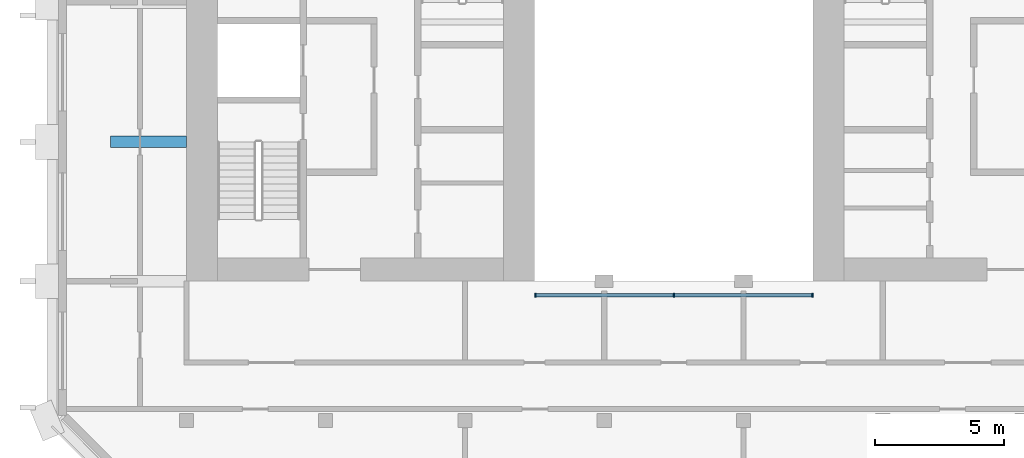
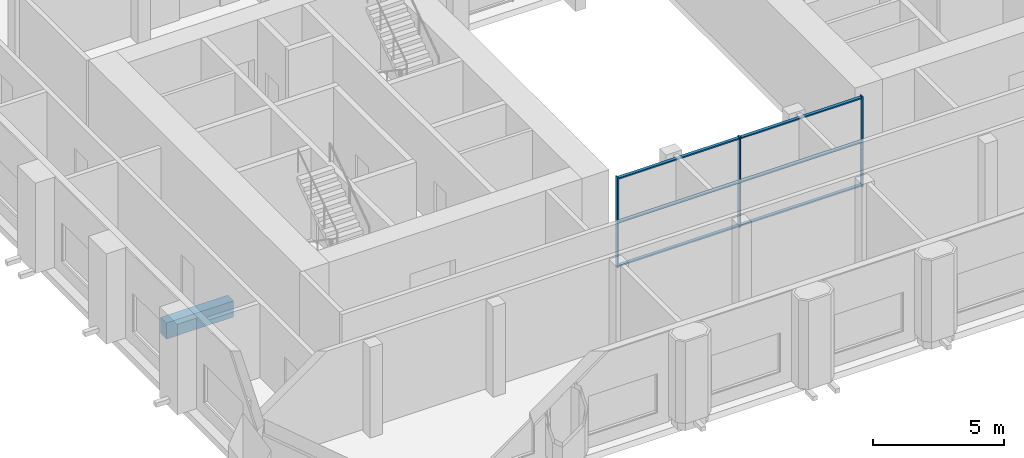
# One storey, part 2 of 11: 9 members, 1 beam, 1 element without a shape of its own.
"""IFC4 building model written with IfcOpenShell, lengths in metres."""

from ifc_helpers import new_model, si_unit, direction, frame, origin, origin_2d, place, context, subcontext, project, spatial, rectangle, extrude, material, material_profile, profile_set, type_object, element, aggregate, save


model = new_model("IFC4")

# Units and contexts
model_context = context("Model", 3, precision=1e-05, world=origin(), true_north=direction((0.0, 1.0)))
body_context = subcontext(model_context, "Body", "Model", "MODEL_VIEW")
ifc_project = project(units=[si_unit("LENGTHUNIT", "METRE"), si_unit("AREAUNIT", "SQUARE_METRE"), si_unit("VOLUMEUNIT", "CUBIC_METRE"), si_unit("PLANEANGLEUNIT", "RADIAN"), si_unit("MASSUNIT", "GRAM", prefix="KILO")], contexts=[model_context])

# Site, building, storey
site_placement = place(None, origin())
site = spatial("IfcSite", under=ifc_project, at=site_placement, CompositionType="ELEMENT")
building_placement = place(site_placement, origin())
building = spatial("IfcBuilding", under=site, at=building_placement, Name="Tabaq Tower and Sports Hall", CompositionType="ELEMENT")
storey_placement = place(building_placement, frame((0.0, 0.0, 312.699951171875)))
storey = spatial("IfcBuildingStorey", under=building, at=storey_placement, Name="L78", CompositionType="ELEMENT", Elevation=312.699951171875)

# Curtain wall, members
ifc_material_1 = material(Name="Aluminium alloy 6063-T6 framed glazing", Category="aluminium")
curtain_wall_type = type_object("IfcCurtainWallType", Name="CW1 curtain wall", PredefinedType="USERDEFINED", material=ifc_material_1)
curtain_wall_placement = place(storey_placement, origin())
curtain_wall = element("IfcCurtainWall", 1, at=curtain_wall_placement, inside=storey, type_object=curtain_wall_type, Name="Atrium glazing L78 S", ObjectType="ATRIUM ENCLOSURE", PredefinedType="USERDEFINED")
ifc_material_2 = material(Name="Aluminium alloy 6063-T6", Category="aluminium")
ifc_material_profile_1 = material_profile(ifc_material_2, rectangle(XDim=0.159912109375, YDim=0.06005859375, at=origin_2d()), Name="MULLION 160x60")
ifc_profile_set_1 = profile_set([ifc_material_profile_1], Name="Aluminium alloy 6063-T6")
member_type_1 = type_object("IfcMemberType", Name="CW1 mullion 160x60", PredefinedType="MULLION", material=ifc_profile_set_1)
member_1_placement = place(storey_placement, frame((18.929931640625, 15.64990234375, 0.0), z_axis=(0.0, 0.0, 1.0), x_axis=(0.0, 1.0, 0.0)))
member_1 = element("IfcMember", 2, at=member_1_placement, type_object=member_type_1, Name="CW1 mullion 1", PredefinedType="MULLION", context=body_context, shape_type="SweptSolid", body=[
    extrude(rectangle(XDim=0.159912109375, YDim=0.06005859375, at=origin_2d()), origin(), (0.0, 0.0, 1.0), 4.199951171875),
])
member_2_placement = place(storey_placement, frame((24.300048828125, 15.64990234375, 0.0), z_axis=(0.0, 0.0, 1.0), x_axis=(0.0, 1.0, 0.0)))
member_2 = element("IfcMember", 3, at=member_2_placement, type_object=member_type_1, Name="CW1 mullion 2", PredefinedType="MULLION", context=body_context, shape_type="SweptSolid", body=[
    extrude(rectangle(XDim=0.159912109375, YDim=0.06005859375, at=origin_2d()), origin(), (0.0, 0.0, 1.0), 4.199951171875),
])
member_3_placement = place(storey_placement, frame((29.669921875, 15.64990234375, 0.0), z_axis=(0.0, 0.0, 1.0), x_axis=(0.0, 1.0, 0.0)))
member_3 = element("IfcMember", 4, at=member_3_placement, type_object=member_type_1, Name="CW1 mullion 3", PredefinedType="MULLION", context=body_context, shape_type="SweptSolid", body=[
    extrude(rectangle(XDim=0.159912109375, YDim=0.06005859375, at=origin_2d()), origin(), (0.0, 0.0, 1.0), 4.199951171875),
])
ifc_material_3 = material(Name="Aluminium alloy 6063-T6", Category="aluminium")
ifc_material_profile_2 = material_profile(ifc_material_3, rectangle(XDim=0.139892578125, YDim=0.06005859375, at=origin_2d()), Name="TRANSOM 140x60")
ifc_profile_set_2 = profile_set([ifc_material_profile_2], Name="Aluminium alloy 6063-T6")
member_type_2 = type_object("IfcMemberType", Name="CW1 transom 140x60", PredefinedType="USERDEFINED", material=ifc_profile_set_2)
member_4_placement = place(storey_placement, frame((18.9599609375, 15.64990234375, 0.070068359375), z_axis=(1.0, 0.0, 0.0), x_axis=(0.0, 1.0, 0.0)))
member_4 = element("IfcMember", 5, at=member_4_placement, type_object=member_type_2, Name="CW1 transom 1.1", ObjectType="TRANSOM", PredefinedType="USERDEFINED", context=body_context, shape_type="SweptSolid", body=[
    extrude(rectangle(XDim=0.139892578125, YDim=0.06005859375, at=origin_2d()), origin(), (0.0, 0.0, 1.0), 5.31005859375),
])
member_5_placement = place(storey_placement, frame((18.9599609375, 15.64990234375, 2.10009765625), z_axis=(1.0, 0.0, 0.0), x_axis=(0.0, 1.0, 0.0)))
member_5 = element("IfcMember", 6, at=member_5_placement, type_object=member_type_2, Name="CW1 transom 1.2", ObjectType="TRANSOM", PredefinedType="USERDEFINED", context=body_context, shape_type="SweptSolid", body=[
    extrude(rectangle(XDim=0.139892578125, YDim=0.06005859375, at=origin_2d()), origin(), (0.0, 0.0, 1.0), 5.31005859375),
])
member_6_placement = place(storey_placement, frame((18.9599609375, 15.64990234375, 4.130126953125), z_axis=(1.0, 0.0, 0.0), x_axis=(0.0, 1.0, 0.0)))
member_6 = element("IfcMember", 7, at=member_6_placement, type_object=member_type_2, Name="CW1 transom 1.3", ObjectType="TRANSOM", PredefinedType="USERDEFINED", context=body_context, shape_type="SweptSolid", body=[
    extrude(rectangle(XDim=0.139892578125, YDim=0.06005859375, at=origin_2d()), origin(), (0.0, 0.0, 1.0), 5.31005859375),
])
member_7_placement = place(storey_placement, frame((24.330078125, 15.64990234375, 0.070068359375), z_axis=(1.0, 0.0, 0.0), x_axis=(0.0, 1.0, 0.0)))
member_7 = element("IfcMember", 8, at=member_7_placement, type_object=member_type_2, Name="CW1 transom 2.1", ObjectType="TRANSOM", PredefinedType="USERDEFINED", context=body_context, shape_type="SweptSolid", body=[
    extrude(rectangle(XDim=0.139892578125, YDim=0.06005859375, at=origin_2d()), origin(), (0.0, 0.0, 1.0), 5.309814453125),
])
member_8_placement = place(storey_placement, frame((24.330078125, 15.64990234375, 2.10009765625), z_axis=(1.0, 0.0, 0.0), x_axis=(0.0, 1.0, 0.0)))
member_8 = element("IfcMember", 9, at=member_8_placement, type_object=member_type_2, Name="CW1 transom 2.2", ObjectType="TRANSOM", PredefinedType="USERDEFINED", context=body_context, shape_type="SweptSolid", body=[
    extrude(rectangle(XDim=0.139892578125, YDim=0.06005859375, at=origin_2d()), origin(), (0.0, 0.0, 1.0), 5.309814453125),
])
member_9_placement = place(storey_placement, frame((24.330078125, 15.64990234375, 4.130126953125), z_axis=(1.0, 0.0, 0.0), x_axis=(0.0, 1.0, 0.0)))
member_9 = element("IfcMember", 10, at=member_9_placement, type_object=member_type_2, Name="CW1 transom 2.3", ObjectType="TRANSOM", PredefinedType="USERDEFINED", context=body_context, shape_type="SweptSolid", body=[
    extrude(rectangle(XDim=0.139892578125, YDim=0.06005859375, at=origin_2d()), origin(), (0.0, 0.0, 1.0), 5.309814453125),
])
aggregate(curtain_wall, [member_1, member_2, member_3, member_4, member_5, member_6, member_7, member_8, member_9])

# Beam
ifc_material_4 = material(Name="Concrete C40/50", Category="concrete")
ifc_material_profile_3 = material_profile(ifc_material_4, rectangle(XDim=0.449951171875, YDim=0.75, at=origin_2d()), Name="CB 450x750")
ifc_profile_set_3 = profile_set([ifc_material_profile_3], Name="Concrete C40/50")
beam_type = type_object("IfcBeamType", Name="PT CANTILEVER BEAM CB 450x750 C40/50", PredefinedType="BEAM", material=ifc_profile_set_3)
beam_placement = place(storey_placement, frame((2.449951171875, 21.60009765625, -0.675048828125), z_axis=(1.0, 0.0, 0.0), x_axis=(0.0, 1.0, 0.0)))
element("IfcBeam", 11, at=beam_placement, inside=storey, type_object=beam_type, Name="Cantilever Beam L78 W4 span 1", PredefinedType="BEAM", context=body_context, shape_type="SweptSolid", body=[
    extrude(rectangle(XDim=0.449951171875, YDim=0.75, at=origin_2d()), origin(), (0.0, 0.0, 1.0), 2.949951171875),
])

save(model, "model.ifc")
